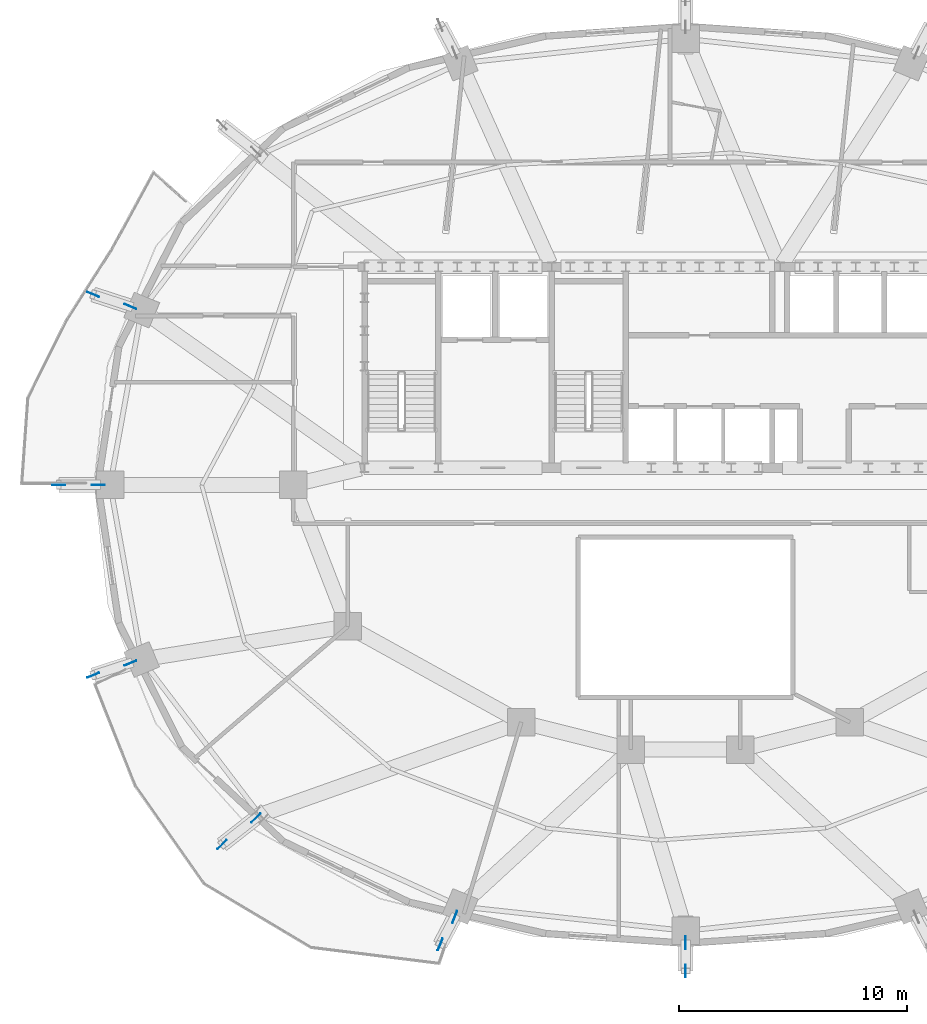
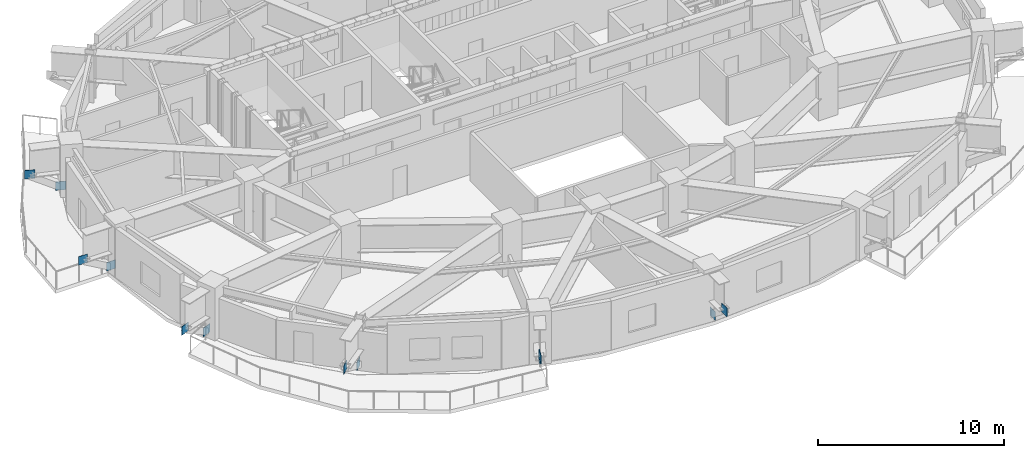
# One storey, part 4 of 14: 12 plates.
"""IFC4 building model written with IfcOpenShell, lengths in metres."""

from ifc_helpers import new_model, si_unit, direction, frame, origin, origin_2d, place, context, subcontext, project, spatial, rectangle, extrude, material, layer, layer_set, type_object, element, save


model = new_model("IFC4")

# Units and contexts
model_context = context("Model", 3, precision=1e-05, world=origin(), true_north=direction((0.0, 1.0)))
body_context = subcontext(model_context, "Body", "Model", "MODEL_VIEW")
ifc_project = project(units=[si_unit("LENGTHUNIT", "METRE"), si_unit("AREAUNIT", "SQUARE_METRE"), si_unit("VOLUMEUNIT", "CUBIC_METRE"), si_unit("PLANEANGLEUNIT", "RADIAN"), si_unit("MASSUNIT", "GRAM", prefix="KILO")], contexts=[model_context])

# Site, building, storey
site_placement = place(None, origin())
site = spatial("IfcSite", under=ifc_project, at=site_placement, CompositionType="ELEMENT")
building_placement = place(site_placement, origin())
building = spatial("IfcBuilding", under=site, at=building_placement, Name="Haldorwick Loom Tower", CompositionType="ELEMENT")
storey_placement = place(building_placement, frame((0.0, 0.0, 182.050048828125)))
storey = spatial("IfcBuildingStorey", under=building, at=storey_placement, Name="L49", CompositionType="ELEMENT", Elevation=182.050048828125)

# Plates
ifc_material = material(Name="Steel CSA G40.21 350W", Category="steel")
ifc_layer = layer(ifc_material, 0.028076171875, Name="Steel CSA G40.21 350W", Category="steel")
ifc_layer_set = layer_set([ifc_layer], Name="Steel CSA G40.21 350W")
plate_type = type_object("IfcPlateType", Name="STR-PLT-GUS28", PredefinedType="SHEET", material=ifc_layer_set)
for number, where, z_axis, x_axis, name in (
    (1, (11.669189453125, 33.81396484375, 0.119873046875), (0.0, 0.0, 1.0), (-0.923879532511, 0.382683432365, 0.0), "L49 Truss Node Gusset Plate PLT-L49-FGUS-07B"),
    (2, (10.0390625, 34.342529296875, 1.10986328125), (0.0, 0.0, 1.0), (-0.923879532511, 0.382683432365, 0.0), "L49 Truss Node Gusset Plate PLT-L49-FGUS-07T"),
    (3, (10.262939453125, 26.0, 0.119873046875), (0.0, 0.0, 1.0), (-1.0, 0.0, 0.0), "L49 Truss Node Gusset Plate PLT-L49-FGUS-08B"),
    (4, (8.53369140625, 26.0, 1.10986328125), (0.0, 0.0, 1.0), (-1.0, 0.0, 0.0), "L49 Truss Node Gusset Plate PLT-L49-FGUS-08T"),
    (5, (11.669189453125, 18.18603515625, 0.119873046875), (0.0, 0.0, 1.0), (-0.923879532511, -0.382683432365, 0.0), "L49 Truss Node Gusset Plate PLT-L49-FGUS-09B"),
    (6, (10.0390625, 17.657470703125, 1.10986328125), (0.0, 0.0, 1.0), (-0.923879532511, -0.382683432365, 0.0), "L49 Truss Node Gusset Plate PLT-L49-FGUS-09T"),
    (7, (17.167236328125, 11.397216796875, 0.119873046875), (0.0, 0.0, 1.0), (-0.707106781187, -0.707106781187, 0.0), "L49 Truss Node Gusset Plate PLT-L49-FGUS-10B"),
    (8, (15.682373046875, 10.235107421875, 1.10986328125), (0.0, 0.0, 1.0), (-0.707106781187, -0.707106781187, 0.0), "L49 Truss Node Gusset Plate PLT-L49-FGUS-10T"),
    (9, (25.883544921875, 7.062744140625, 0.119873046875), (0.0, 0.0, 1.0), (-0.382683432365, -0.923879532511, 0.0), "L49 Truss Node Gusset Plate PLT-L49-FGUS-11B"),
    (10, (25.24658203125, 5.859375, 1.10986328125), (0.0, 0.0, 1.0), (-0.382683432365, -0.923879532511, 0.0), "L49 Truss Node Gusset Plate PLT-L49-FGUS-11T"),
    (11, (36.0, 5.935302734375, 0.119873046875), (0.0, 0.0, 1.0), (0.0, -1.0, 0.0), "L49 Truss Node Gusset Plate PLT-L49-FGUS-12B"),
    (12, (36.0, 4.695068359375, 1.10986328125), (0.0, 0.0, 1.0), (0.0, -1.0, 0.0), "L49 Truss Node Gusset Plate PLT-L49-FGUS-12T"),
):
    element("IfcPlate", number, at=place(storey_placement, frame(where, z_axis=z_axis, x_axis=x_axis)), inside=storey, type_object=plate_type, Name=name, PredefinedType="SHEET", context=body_context, shape_type="SweptSolid", body=[
        extrude(rectangle(XDim=0.56005859375, YDim=0.028076171875, at=origin_2d()), origin(), (0.0, 0.0, 1.0), 0.56005859375),
    ])

save(model, "model.ifc")
